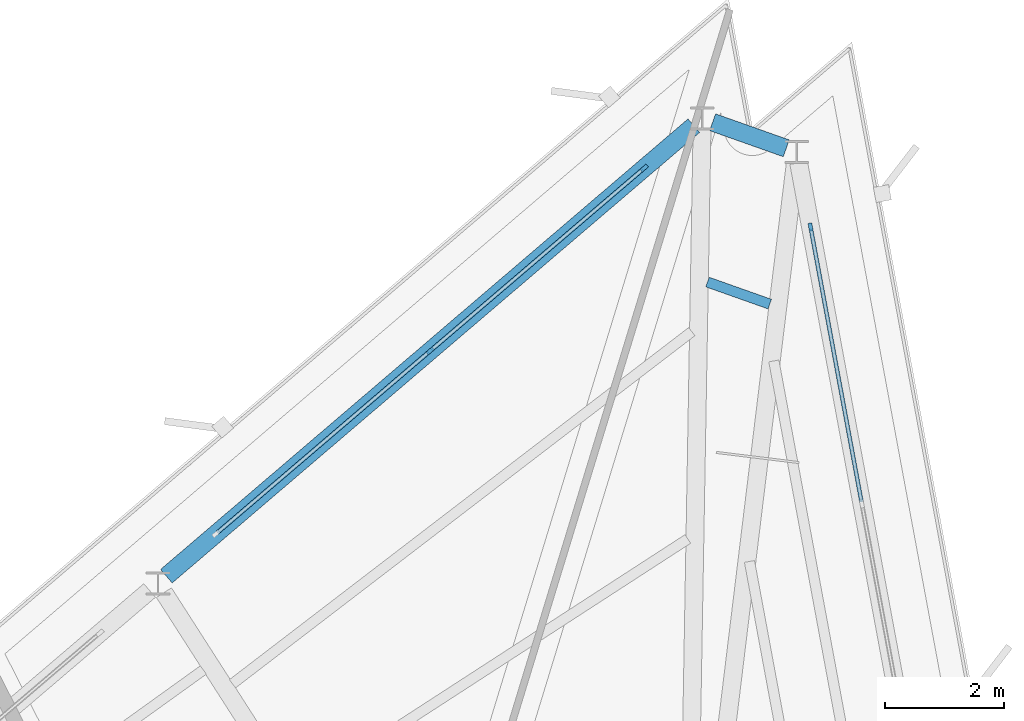
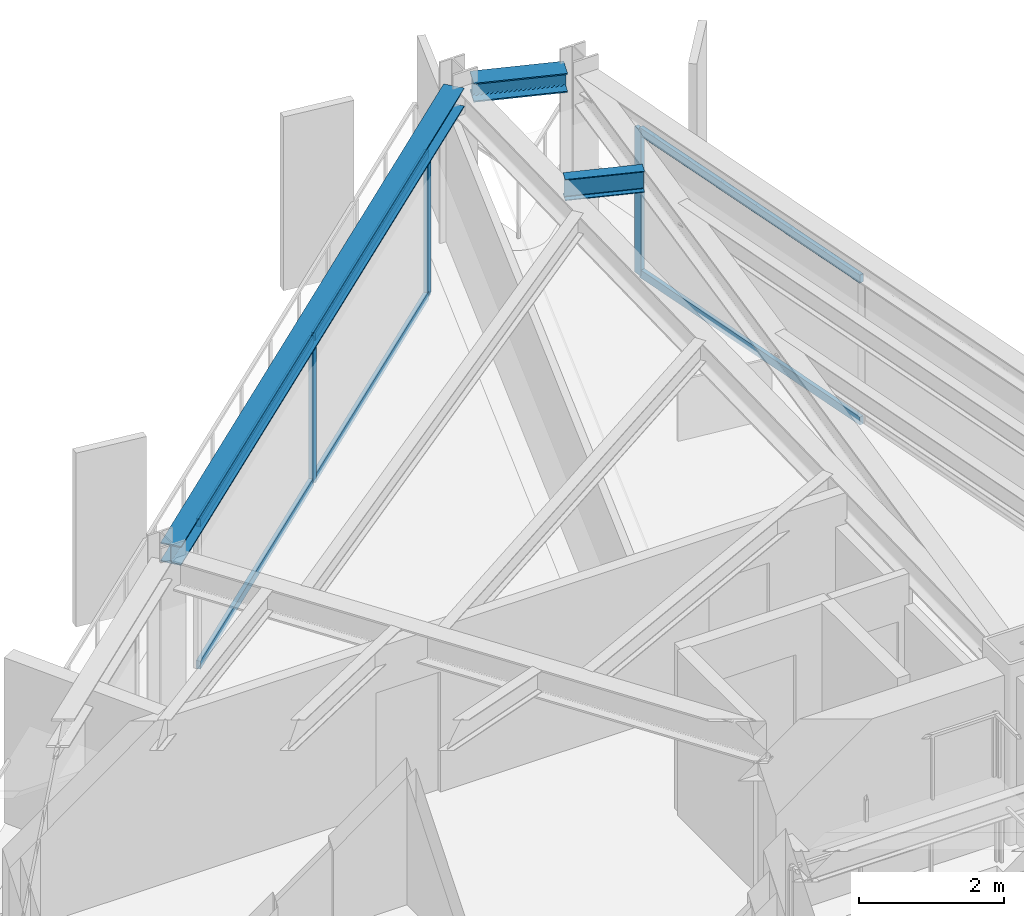
# One storey, part 7 of 14: 9 members, 3 beams, 2 elements without a shape of their own.
"""IFC4 building model written with IfcOpenShell, lengths in metres."""

from ifc_helpers import new_model, si_unit, direction, frame, origin, origin_2d, place, context, subcontext, project, spatial, rectangle, i_section, extrude, material, layer, layer_set, material_profile, profile_set, type_object, element, aggregate, save


model = new_model("IFC4")

# Units and contexts
model_context = context("Model", 3, precision=1e-05, world=origin(), true_north=direction((0.0, 1.0)))
body_context = subcontext(model_context, "Body", "Model", "MODEL_VIEW")
ifc_project = project(units=[si_unit("LENGTHUNIT", "METRE"), si_unit("AREAUNIT", "SQUARE_METRE"), si_unit("VOLUMEUNIT", "CUBIC_METRE"), si_unit("PLANEANGLEUNIT", "RADIAN"), si_unit("MASSUNIT", "GRAM", prefix="KILO")], contexts=[model_context])

# Site, building, storey
site_placement = place(None, origin())
site = spatial("IfcSite", under=ifc_project, at=site_placement, CompositionType="ELEMENT")
building_placement = place(site_placement, origin())
building = spatial("IfcBuilding", under=site, at=building_placement, Name="Rocaltana Carrier Exchange", CompositionType="ELEMENT")
storey_placement = place(building_placement, frame((0.0, 0.0, 178.39990234375)))
storey = spatial("IfcBuildingStorey", under=building, at=storey_placement, Name="L56", CompositionType="ELEMENT", Elevation=178.39990234375)

# Curtain wall, member
ifc_material_1 = material(Name="Aluminium 6063-T6", Category="aluminium")
ifc_layer = layer(ifc_material_1, 0.135009765625)
ifc_layer_set = layer_set([ifc_layer], Name="Aluminium 6063-T6")
curtain_wall_type = type_object("IfcCurtainWallType", Name="Upper-Mid Acoustic Curtain Wall CW-04", PredefinedType="NOTDEFINED", material=ifc_layer_set)
curtain_wall_1_placement = place(storey_placement, origin())
curtain_wall_1 = element("IfcCurtainWall", 1, at=curtain_wall_1_placement, inside=storey, type_object=curtain_wall_type, Name="L56 CW-04 Run CW-L56-F1S3", PredefinedType="NOTDEFINED")
ifc_material_2 = material(Name="Aluminium 6063-T6", Category="aluminium")
ifc_material_profile_1 = material_profile(ifc_material_2, rectangle(XDim=0.06494140625, YDim=0.135009765625, at=origin_2d()), Name="AL-65X135")
ifc_profile_set_1 = profile_set([ifc_material_profile_1], Name="Aluminium 6063-T6")
member_type_1 = type_object("IfcMemberType", Name="CW-04 Mullion AL-65X135", PredefinedType="MULLION", material=ifc_profile_set_1)
member_1_placement = place(storey_placement, frame((8.1474609375, 18.56298828125, 0.0), z_axis=(0.0, 0.0, 1.0), x_axis=(-0.983254796134, -0.182236126712, 0.0)))
member_1 = element("IfcMember", 2, at=member_1_placement, type_object=member_type_1, Name="CW-04 mullion 3", PredefinedType="MULLION", context=body_context, shape_type="SweptSolid", body=[
    extrude(rectangle(XDim=0.06494140625, YDim=0.135009765625, at=origin_2d()), origin(), (0.0, 0.0, 1.0), 2.447998046875),
])

# Curtain wall, members
curtain_wall_2_placement = place(storey_placement, origin())
curtain_wall_2 = element("IfcCurtainWall", 3, at=curtain_wall_2_placement, inside=storey, type_object=curtain_wall_type, Name="L56 CW-04 Run CW-L56-F2S1", PredefinedType="NOTDEFINED")
member_2_placement = place(storey_placement, frame((5.350341796875, 19.5537109375, 0.0), z_axis=(0.0, 0.0, 1.0), x_axis=(0.649447944918, -0.760406053922, 0.0)))
member_2 = element("IfcMember", 4, at=member_2_placement, type_object=member_type_1, Name="CW-04 mullion 1", PredefinedType="MULLION", context=body_context, shape_type="SweptSolid", body=[
    extrude(rectangle(XDim=0.06494140625, YDim=0.135009765625, at=origin_2d()), origin(), (0.0, 0.0, 1.0), 2.447998046875),
])
member_3_placement = place(storey_placement, frame((1.75048828125, 16.47900390625, 0.0), z_axis=(0.0, 0.0, 1.0), x_axis=(0.649447944918, -0.760406053922, 0.0)))
member_3 = element("IfcMember", 5, at=member_3_placement, type_object=member_type_1, Name="CW-04 mullion 2", PredefinedType="MULLION", context=body_context, shape_type="SweptSolid", body=[
    extrude(rectangle(XDim=0.06494140625, YDim=0.135009765625, at=origin_2d()), origin(), (0.0, 0.0, 1.0), 2.447998046875),
])

# Member
ifc_material_3 = material(Name="Aluminium 6063-T6", Category="aluminium")
ifc_material_profile_2 = material_profile(ifc_material_3, rectangle(XDim=0.06494140625, YDim=0.135009765625, at=origin_2d()), Name="AL-65X135")
ifc_profile_set_2 = profile_set([ifc_material_profile_2], Name="Aluminium 6063-T6")
member_type_2 = type_object("IfcMemberType", Name="CW-04 Transom AL-65X135", PredefinedType="USERDEFINED", material=ifc_profile_set_2)
member_4_placement = place(storey_placement, frame((9.00439453125, 13.940185546875, 0.03271484375), z_axis=(-0.182229691605, 0.983255988793, 0.0), x_axis=(-0.983255988793, -0.182229691605, 0.0)))
member_4 = element("IfcMember", 6, at=member_4_placement, type_object=member_type_2, Name="CW-04 transom 2.1", ObjectType="TRANSOM", PredefinedType="USERDEFINED", context=body_context, shape_type="SweptSolid", body=[
    extrude(rectangle(XDim=0.06494140625, YDim=0.135009765625, at=origin_2d()), origin(), (0.0, 0.0, 1.0), 4.6689453125),
])

member_5_placement = place(storey_placement, frame((9.00439453125, 13.940185546875, 2.41552734375), z_axis=(-0.182229691605, 0.983255988793, 0.0), x_axis=(-0.983255988793, -0.182229691605, 0.0)))
member_5 = element("IfcMember", 7, at=member_5_placement, type_object=member_type_2, Name="CW-04 transom 2.2", ObjectType="TRANSOM", PredefinedType="USERDEFINED", context=body_context, shape_type="SweptSolid", body=[
    extrude(rectangle(XDim=0.06494140625, YDim=0.135009765625, at=origin_2d()), origin(), (0.0, 0.0, 1.0), 4.6689453125),
])

aggregate(curtain_wall_1, [member_1, member_4, member_5])

member_6_placement = place(storey_placement, frame((5.32568359375, 19.532470703125, 0.03271484375), z_axis=(-0.760429086615, -0.649420976123, 0.0), x_axis=(0.649420976123, -0.760429086615, 0.0)))
member_6 = element("IfcMember", 8, at=member_6_placement, type_object=member_type_2, Name="CW-04 transom 1.1", ObjectType="TRANSOM", PredefinedType="USERDEFINED", context=body_context, shape_type="SweptSolid", body=[
    extrude(rectangle(XDim=0.06494140625, YDim=0.135009765625, at=origin_2d()), origin(), (0.0, 0.0, 1.0), 4.669189453125),
])

member_7_placement = place(storey_placement, frame((5.32568359375, 19.532470703125, 2.41552734375), z_axis=(-0.760429086615, -0.649420976123, 0.0), x_axis=(0.649420976123, -0.760429086615, 0.0)))
member_7 = element("IfcMember", 9, at=member_7_placement, type_object=member_type_2, Name="CW-04 transom 1.2", ObjectType="TRANSOM", PredefinedType="USERDEFINED", context=body_context, shape_type="SweptSolid", body=[
    extrude(rectangle(XDim=0.06494140625, YDim=0.135009765625, at=origin_2d()), origin(), (0.0, 0.0, 1.0), 4.669189453125),
])

member_8_placement = place(storey_placement, frame((1.7255859375, 16.4580078125, 0.03271484375), z_axis=(-0.760381209804, -0.649477032525, 0.0), x_axis=(0.649477032525, -0.760381209804, 0.0)))
member_8 = element("IfcMember", 10, at=member_8_placement, type_object=member_type_2, Name="CW-04 transom 2.1", ObjectType="TRANSOM", PredefinedType="USERDEFINED", context=body_context, shape_type="SweptSolid", body=[
    extrude(rectangle(XDim=0.06494140625, YDim=0.135009765625, at=origin_2d()), origin(), (0.0, 0.0, 1.0), 4.669189453125),
])

member_9_placement = place(storey_placement, frame((1.7255859375, 16.4580078125, 2.41552734375), z_axis=(-0.760381209804, -0.649477032525, 0.0), x_axis=(0.649477032525, -0.760381209804, 0.0)))
member_9 = element("IfcMember", 11, at=member_9_placement, type_object=member_type_2, Name="CW-04 transom 2.2", ObjectType="TRANSOM", PredefinedType="USERDEFINED", context=body_context, shape_type="SweptSolid", body=[
    extrude(rectangle(XDim=0.06494140625, YDim=0.135009765625, at=origin_2d()), origin(), (0.0, 0.0, 1.0), 4.669189453125),
])

aggregate(curtain_wall_2, [member_2, member_3, member_6, member_7, member_8, member_9])

# Beams
ifc_material_4 = material(Name="Steel S355", Category="steel")
ifc_material_profile_3 = material_profile(ifc_material_4, i_section(OverallWidth=0.172119140625, OverallDepth=0.35791015625, WebThickness=0.0078125, FlangeThickness=0.01318359375, FilletRadius=0.011962890625, at=origin_2d()), Name="W14X38")
ifc_profile_set_3 = profile_set([ifc_material_profile_3], Name="Steel S355")
beam_type_1 = type_object("IfcBeamType", Name="Floor Joist W14X38", PredefinedType="JOIST", material=ifc_profile_set_3)
beam_1_placement = place(storey_placement, frame((7.461181640625, 17.26708984375, 2.619140625), z_axis=(-0.942673337603, 0.333716913825, 0.0), x_axis=(-0.333716913825, -0.942673337603, 0.0)))
element("IfcBeam", 12, at=beam_1_placement, inside=storey, type_object=beam_type_1, Name="FJ-L56-04-3", PredefinedType="JOIST", context=body_context, shape_type="SweptSolid", body=[
    extrude(i_section(OverallWidth=0.172119140625, OverallDepth=0.35791015625, WebThickness=0.0078125, FlangeThickness=0.01318359375, FilletRadius=0.011962890625, at=origin_2d()), origin(), (0.0, 0.0, 1.0), 1.110595703125),
])
ifc_material_5 = material(Name="Steel S355", Category="steel")
ifc_material_profile_4 = material_profile(ifc_material_5, i_section(OverallWidth=0.300048828125, OverallDepth=0.320068359375, WebThickness=0.011474609375, FlangeThickness=0.0205078125, FilletRadius=0.027099609375, at=origin_2d()), Name="HEB320")
ifc_profile_set_4 = profile_set([ifc_material_profile_4], Name="Steel S355")
beam_type_2 = type_object("IfcBeamType", Name="Spandrel Edge Beam HEB320", PredefinedType="SPANDREL", material=ifc_profile_set_4)
beam_2_placement = place(storey_placement, frame((7.739013671875, 19.885986328125, 2.63818359375), z_axis=(-0.94260895098, 0.333898735445, 0.0), x_axis=(-0.333898735445, -0.94260895098, 0.0)))
element("IfcBeam", 13, at=beam_2_placement, inside=storey, type_object=beam_type_2, Name="SP-L56-04", PredefinedType="SPANDREL", context=body_context, shape_type="SweptSolid", body=[
    extrude(i_section(OverallWidth=0.300048828125, OverallDepth=0.320068359375, WebThickness=0.011474609375, FlangeThickness=0.0205078125, FilletRadius=0.027099609375, at=origin_2d()), origin(), (0.0, 0.0, 1.0), 1.31396484375),
])
beam_3_placement = place(storey_placement, frame((6.184326171875, 20.26611328125, 2.63818359375), z_axis=(-0.760403616076, -0.64945079926, 0.0), x_axis=(0.64945079926, -0.760403616076, 0.0)))
element("IfcBeam", 14, at=beam_3_placement, inside=storey, type_object=beam_type_2, Name="SP-L56-05", PredefinedType="SPANDREL", context=body_context, shape_type="SweptSolid", body=[
    extrude(i_section(OverallWidth=0.300048828125, OverallDepth=0.320068359375, WebThickness=0.011474609375, FlangeThickness=0.0205078125, FilletRadius=0.027099609375, at=origin_2d()), origin(), (0.0, 0.0, 1.0), 11.662109375),
])

save(model, "model.ifc")
